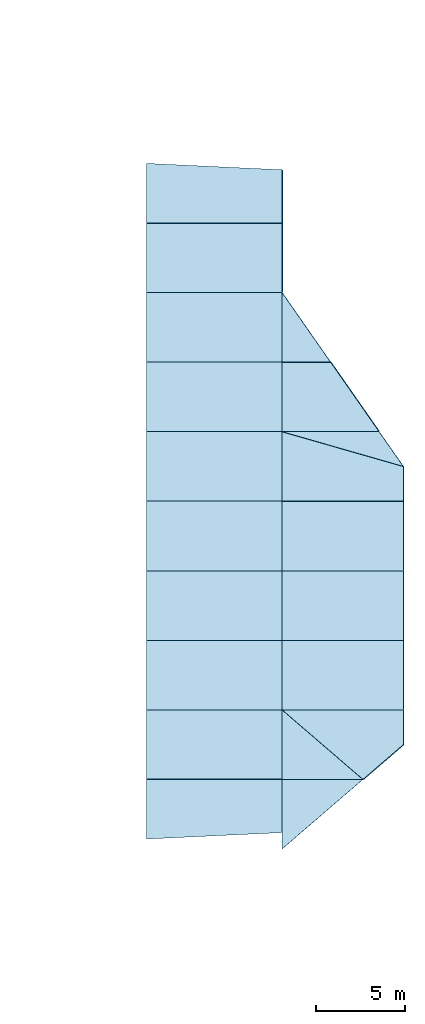
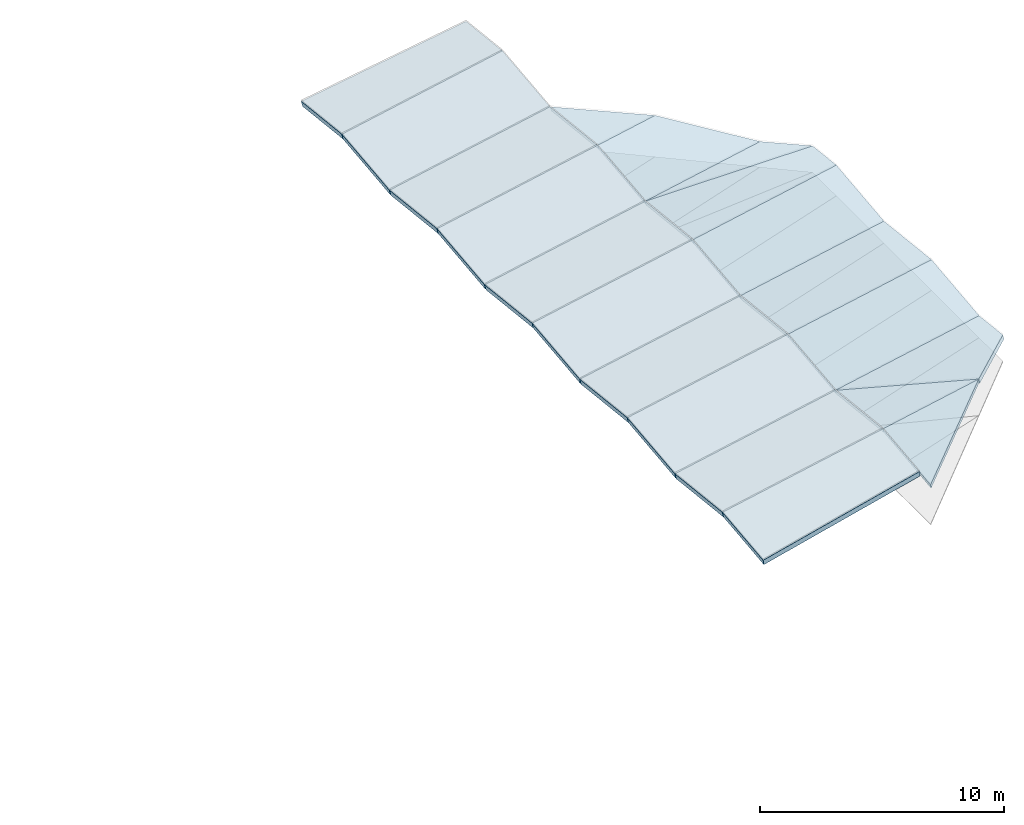
# One storey, part 5 of 12: 20 slabs.
"""IFC4 building model written with IfcOpenShell, lengths in metres."""

from ifc_helpers import new_model, si_unit, direction, frame, origin, place, context, subcontext, project, spatial, polyline, outline, extrude, material, layer, layer_set, type_object, element, save


model = new_model("IFC4")

# Units and contexts
model_context = context("Model", 3, precision=1e-05, world=origin(), true_north=direction((0.0, 1.0)))
body_context = subcontext(model_context, "Body", "Model", "MODEL_VIEW")
ifc_project = project(units=[si_unit("LENGTHUNIT", "METRE"), si_unit("AREAUNIT", "SQUARE_METRE"), si_unit("VOLUMEUNIT", "CUBIC_METRE"), si_unit("PLANEANGLEUNIT", "RADIAN"), si_unit("MASSUNIT", "GRAM", prefix="KILO")], contexts=[model_context])

# Site, building, storey
site_placement = place(None, origin())
site = spatial("IfcSite", under=ifc_project, at=site_placement, CompositionType="ELEMENT")
building_placement = place(site_placement, origin())
building = spatial("IfcBuilding", under=site, at=building_placement, Name="Vervanel Yard Central Library", CompositionType="ELEMENT")
storey_placement = place(building_placement, frame((0.0, 0.0, 20.260009765625)))
storey = spatial("IfcBuildingStorey", under=building, at=storey_placement, Name="L05", CompositionType="ELEMENT", Elevation=20.260009765625)

# Slabs
ifc_material = material(Name="Concrete C45/55", Category="concrete")
ifc_layer_1 = layer(ifc_material, 0.2099609375, Category="concrete")
ifc_layer_set_1 = layer_set([ifc_layer_1], Name="Concrete C45/55")
slab_type_1 = type_object("IfcSlabType", Name="Folded Shell Prow Ribbed Plate 210", PredefinedType="ROOF", material=ifc_layer_set_1)
slab_1_placement = place(storey_placement, frame((152.800048828125, 51.0, 3.482666015625), z_axis=(-0.194591622356, 0.109324357786, 0.974772940383), x_axis=(5.396998e-06, -0.993769374698, 0.111455954906)))
element("IfcSlab", 1, at=slab_1_placement, inside=storey, type_object=slab_type_1, Name="L05 V3 Folded Shell Prow Ribbed Plate 210 V3-FS-B6-S02-P1", PredefinedType="ROOF", context=body_context, shape_type="SweptSolid", body=[
    extrude(outline(polyline([(-0.15132945113645255, -6.932557796792593), (3.873904201926632, -2.3110437224580416), (1.9621827469007638, 6.938893903907228e-18), (0.0, 0.0), (-0.15132945113645255, -6.932557796792593)])), origin(), (0.0, 0.0, -1.0), 0.2099609375),
])
slab_2_placement = place(storey_placement, frame((146.0, 51.0, 2.125244140625), z_axis=(-0.194556377015, 0.109352699362, 0.974776796659), x_axis=(0.739668619887, -0.636334905971, 0.21901648385)))
element("IfcSlab", 2, at=slab_2_placement, inside=storey, type_object=slab_type_1, Name="L05 V3 Folded Shell Prow Ribbed Plate 210 V3-FS-B6-S02-P2", PredefinedType="ROOF", context=body_context, shape_type="SweptSolid", body=[
    extrude(outline(polyline([(2.577463702890317, -2.959277851278869), (6.12869466558627, -2.706168622523819e-16), (0.0, 0.0), (2.577463702890317, -2.959277851278869)])), origin(), (0.0, 0.0, -1.0), 0.2099609375),
])
slab_3_placement = place(storey_placement, frame((152.800048828125, 58.800048828125, 3.482666015625), z_axis=(-0.194583474203, 0.109345340004, 0.974772213487), x_axis=(0.0, -0.993767115326, 0.11147609832)))
element("IfcSlab", 3, at=slab_3_placement, inside=storey, type_object=slab_type_1, Name="L05 V3 Folded Shell Prow Ribbed Plate 210 V3-FS-B6-S04", PredefinedType="ROOF", context=body_context, shape_type="SweptSolid", body=[
    extrude(outline(polyline([(-0.15132009439940197, -6.932558001246269), (3.7732880197417633, -6.932558001246268), (3.9246081141411655, 0.0), (0.0, 0.0), (-0.15132009439940197, -6.932558001246269)])), origin(), (0.0, 0.0, -1.0), 0.2099609375),
])
slab_4_placement = place(storey_placement, frame((152.800048828125, 62.699951171875, 3.920166015625), z_axis=(-0.194582166577, 0.109347622208, 0.974772218504), x_axis=(-0.980652630182, 1.40327e-07, -0.195756018855)))
element("IfcSlab", 4, at=slab_4_placement, inside=storey, type_object=slab_type_1, Name="L05 V3 Folded Shell Prow Ribbed Plate 210 V3-FS-B6-S06-P1", PredefinedType="ROOF", context=body_context, shape_type="SweptSolid", body=[
    extrude(outline(polyline([(0.04282190275487973, -1.961715427823809), (7.019853076364559, -3.923673532300492), (6.934209270820539, 0.0), (0.0, 0.0), (0.04282190275487973, -1.961715427823809)])), origin(), (0.0, 0.0, -1.0), 0.2099609375),
])
slab_5_placement = place(storey_placement, frame((152.800048828125, 64.64990234375, 3.701416015625), z_axis=(-0.194587239796, 0.109326468792, 0.974773578494), x_axis=(-0.938243558542, 0.269080154584, -0.217473895593)))
element("IfcSlab", 5, at=slab_5_placement, inside=storey, type_object=slab_type_1, Name="L05 V3 Folded Shell Prow Ribbed Plate 210 V3-FS-B6-S06-P2", PredefinedType="ROOF", context=body_context, shape_type="SweptSolid", body=[
    extrude(outline(polyline([(1.9074840629401322, -1.5016618287742018), (7.247637104692963, 4.163336342344337e-17), (0.0, 0.0), (1.9074840629401322, -1.5016618287742018)])), origin(), (0.0, 0.0, -1.0), 0.2099609375),
])
slab_6_placement = place(storey_placement, frame((146.0, 74.39990234375, 2.125244140625), z_axis=(-0.194586689397, 0.109352029033, 0.974770821299), x_axis=(0.560267602627, -0.803313408524, 0.201959850296)))
element("IfcSlab", 6, at=slab_6_placement, inside=storey, type_object=slab_type_1, Name="L05 V3 Folded Shell Prow Ribbed Plate 210 V3-FS-B6-S08", PredefinedType="ROOF", context=body_context, shape_type="SweptSolid", body=[
    extrude(outline(polyline([(3.221201279173657, -2.2415411795987024), (4.854770631695345, 5.412337245047638e-16), (0.0, 0.0), (3.221201279173657, -2.2415411795987024)])), origin(), (0.0, 0.0, -1.0), 0.2099609375),
])
ifc_layer_2 = layer(ifc_material, 0.199951171875, Category="concrete")
ifc_layer_set_2 = layer_set([ifc_layer_2], Name="Concrete C45/55")
slab_type_2 = type_object("IfcSlabType", Name="Folded Shell Prow Upper Plate 200", PredefinedType="ROOF", material=ifc_layer_set_2)
slab_7_placement = place(storey_placement, frame((150.533203125, 47.10009765625, 3.467529296875), z_axis=(-0.194556522645, -0.109345935971, 0.974777526302), x_axis=(-0.739649870283, -0.636358610393, -0.219010932078)))
element("IfcSlab", 7, at=slab_7_placement, inside=storey, type_object=slab_type_2, Name="L05 V3 Folded Shell Prow Upper Plate 200 V3-FS-B6-S01", PredefinedType="ROOF", context=body_context, shape_type="SweptSolid", body=[
    extrude(outline(polyline([(3.551140943772959, -2.9593858736128684), (6.128850023681566, 6.938893903907228e-18), (0.0, 0.0), (3.551140943772959, -2.9593858736128684)])), origin(), (0.0, 0.0, -1.0), 0.199951171875),
])
for number, where, z_axis, x_axis, name in (
    (8, (152.800048828125, 54.89990234375, 3.920166015625), (-0.194583328555, -0.10935210336, 0.974771483856), (0.0, -0.993766342205, -0.111482990186), "L05 V3 Folded Shell Prow Upper Plate 200 V3-FS-B6-S03"),
    (9, (152.800048828125, 62.699951171875, 3.920166015625), (-0.194583328555, -0.10935210336, 0.974771483856), (0.0, -0.993766342205, -0.111482990186), "L05 V3 Folded Shell Prow Upper Plate 200 V3-FS-B6-S05"),
):
    element("IfcSlab", number, at=place(storey_placement, frame(where, z_axis=z_axis, x_axis=x_axis)), inside=storey, type_object=slab_type_2, Name=name, PredefinedType="ROOF", context=body_context, shape_type="SweptSolid", body=[
        extrude(outline(polyline([(0.1513294495688792, -6.932557797040417), (4.075694944879777, -6.932557797040417), (3.924365495310897, 1.3877787807814457e-17), (0.0, 0.0), (0.1513294495688792, -6.932557797040417)])), origin(), (0.0, 0.0, -1.0), 0.199951171875),
    ])
slab_8_placement = place(storey_placement, frame((148.719970703125, 70.5, 3.105712890625), z_axis=(-0.194586689397, -0.109352029033, 0.974770821299), x_axis=(0.571914807931, -0.820013207243, 0.022176393235)))
element("IfcSlab", 10, at=slab_8_placement, inside=storey, type_object=slab_type_2, Name="L05 V3 Folded Shell Prow Upper Plate 200 V3-FS-B6-S07", PredefinedType="ROOF", context=body_context, shape_type="SweptSolid", body=[
    extrude(outline(polyline([(-1.5676326107698044, -2.2881397874662115), (1.6206366460215391, -4.576279574932423), (4.755901867561148, -1.9081958235744878e-16), (0.0, 0.0), (-1.5676326107698044, -2.2881397874662115)])), origin(), (0.0, 0.0, -1.0), 0.199951171875),
])
ifc_layer_3 = layer(ifc_material, 0.260009765625, Category="concrete")
ifc_layer_set_3 = layer_set([ifc_layer_3], Name="Concrete C45/55")
slab_type_3 = type_object("IfcSlabType", Name="Folded Shell Roof Fulcrum Plate 260", PredefinedType="ROOF", material=ifc_layer_set_3)
slab_9_placement = place(storey_placement, frame((138.39990234375, 43.760009765625, 0.671142578125), z_axis=(-0.194573423729, -0.109312788596, 0.974777870608), x_axis=(0.978588944368, 0.046366823003, 0.200533776919)))
element("IfcSlab", 11, at=slab_9_placement, inside=storey, type_object=slab_type_3, Name="L05 V3 Folded Shell Roof Fulcrum Plate 260 V3-FS-B5-S01", PredefinedType="ROOF", context=body_context, shape_type="SweptSolid", body=[
    extrude(outline(polyline([(0.0, 0.0), (7.766374478776976, 1.1102230246251565e-16), (7.971570812315398, 2.991636133812094), (0.22997151349951914, 3.3531416977513797), (0.0, 0.0)])), origin(), (0.0, 0.0, -1.0), 0.260009765625),
])
slab_10_placement = place(storey_placement, frame((138.39990234375, 47.10009765625, 1.045654296875), z_axis=(-0.194578722861, 0.109352205216, 0.974772391804), x_axis=(0.980653304953, 0.0, 0.195752638515)))
element("IfcSlab", 12, at=slab_10_placement, inside=storey, type_object=slab_type_3, Name="L05 V3 Folded Shell Roof Fulcrum Plate 260 V3-FS-B5-S02", PredefinedType="ROOF", context=body_context, shape_type="SweptSolid", body=[
    extrude(outline(polyline([(0.0, 0.0), (7.750035224342283, 0.0), (7.6643934449919255, 3.9234308999160996), (-0.08564177935035812, 3.923430899916099), (0.0, 0.0)])), origin(), (0.0, 0.0, -1.0), 0.260009765625),
])
slab_11_placement = place(storey_placement, frame((138.39990234375, 51.0, 0.608154296875), z_axis=(-0.194578722861, -0.109352205216, 0.974772391804), x_axis=(0.980653304953, 0.0, 0.195752638515)))
element("IfcSlab", 13, at=slab_11_placement, inside=storey, type_object=slab_type_3, Name="L05 V3 Folded Shell Roof Fulcrum Plate 260 V3-FS-B5-S03", PredefinedType="ROOF", context=body_context, shape_type="SweptSolid", body=[
    extrude(outline(polyline([(0.0, 0.0), (7.750035224342283, 0.0), (7.835677003692641, 3.9234308999160996), (0.08564177935035812, 3.923430899916099), (0.0, 0.0)])), origin(), (0.0, 0.0, -1.0), 0.260009765625),
])
slab_12_placement = place(storey_placement, frame((138.39990234375, 54.89990234375, 1.045654296875), z_axis=(-0.194578868507, 0.109345441854, 0.974773121437), x_axis=(0.980653304953, 0.0, 0.195752638515)))
element("IfcSlab", 14, at=slab_12_placement, inside=storey, type_object=slab_type_3, Name="L05 V3 Folded Shell Roof Fulcrum Plate 260 V3-FS-B5-S04", PredefinedType="ROOF", context=body_context, shape_type="SweptSolid", body=[
    extrude(outline(polyline([(0.0, 0.0), (7.750035224342283, 0.0), (7.6643934449919255, 3.9236735765367103), (-0.08564177935035812, 3.92367357653671), (0.0, 0.0)])), origin(), (0.0, 0.0, -1.0), 0.260009765625),
])
slab_13_placement = place(storey_placement, frame((138.39990234375, 58.800048828125, 0.608154296875), z_axis=(-0.194578722861, -0.109352205216, 0.974772391804), x_axis=(0.980653304953, 0.0, 0.195752638515)))
element("IfcSlab", 15, at=slab_13_placement, inside=storey, type_object=slab_type_3, Name="L05 V3 Folded Shell Roof Fulcrum Plate 260 V3-FS-B5-S05", PredefinedType="ROOF", context=body_context, shape_type="SweptSolid", body=[
    extrude(outline(polyline([(0.0, 0.0), (7.750035224342283, 0.0), (7.835677003692641, 3.9234308999160996), (0.08564177935035812, 3.923430899916099), (0.0, 0.0)])), origin(), (0.0, 0.0, -1.0), 0.260009765625),
])
slab_14_placement = place(storey_placement, frame((138.39990234375, 62.699951171875, 1.045654296875), z_axis=(-0.194578868507, 0.109345441854, 0.974773121437), x_axis=(0.980653304953, 0.0, 0.195752638515)))
element("IfcSlab", 16, at=slab_14_placement, inside=storey, type_object=slab_type_3, Name="L05 V3 Folded Shell Roof Fulcrum Plate 260 V3-FS-B5-S06", PredefinedType="ROOF", context=body_context, shape_type="SweptSolid", body=[
    extrude(outline(polyline([(0.0, 0.0), (7.750035224342283, 0.0), (7.6643934449919255, 3.9236735765367103), (-0.08564177935035812, 3.92367357653671), (0.0, 0.0)])), origin(), (0.0, 0.0, -1.0), 0.260009765625),
])
slab_15_placement = place(storey_placement, frame((138.39990234375, 66.60009765625, 0.608154296875), z_axis=(-0.194578722861, -0.109352205216, 0.974772391804), x_axis=(0.980653304953, 0.0, 0.195752638515)))
element("IfcSlab", 17, at=slab_15_placement, inside=storey, type_object=slab_type_3, Name="L05 V3 Folded Shell Roof Fulcrum Plate 260 V3-FS-B5-S07", PredefinedType="ROOF", context=body_context, shape_type="SweptSolid", body=[
    extrude(outline(polyline([(0.0, 0.0), (7.750035224342283, 0.0), (7.835677003692641, 3.9234308999160996), (0.08564177935035812, 3.923430899916099), (0.0, 0.0)])), origin(), (0.0, 0.0, -1.0), 0.260009765625),
])
slab_16_placement = place(storey_placement, frame((138.39990234375, 70.5, 1.045654296875), z_axis=(-0.194578722861, 0.109352205216, 0.974772391804), x_axis=(0.980653304953, 0.0, 0.195752638515)))
element("IfcSlab", 18, at=slab_16_placement, inside=storey, type_object=slab_type_3, Name="L05 V3 Folded Shell Roof Fulcrum Plate 260 V3-FS-B5-S08", PredefinedType="ROOF", context=body_context, shape_type="SweptSolid", body=[
    extrude(outline(polyline([(0.0, 0.0), (7.750035224342283, 0.0), (7.6643934449919255, 3.9234308999160996), (-0.08564177935035812, 3.923430899916099), (0.0, 0.0)])), origin(), (0.0, 0.0, -1.0), 0.260009765625),
])
slab_17_placement = place(storey_placement, frame((138.39990234375, 74.39990234375, 0.608154296875), z_axis=(-0.194578868507, -0.109345441854, 0.974773121437), x_axis=(0.980653304953, 0.0, 0.195752638515)))
element("IfcSlab", 19, at=slab_17_placement, inside=storey, type_object=slab_type_3, Name="L05 V3 Folded Shell Roof Fulcrum Plate 260 V3-FS-B5-S09", PredefinedType="ROOF", context=body_context, shape_type="SweptSolid", body=[
    extrude(outline(polyline([(0.0, 0.0), (7.750035224342283, 0.0), (7.835677003692641, 3.92367357653671), (0.08564177935035812, 3.92367357653671), (0.0, 0.0)])), origin(), (0.0, 0.0, -1.0), 0.260009765625),
])
slab_18_placement = place(storey_placement, frame((138.39990234375, 78.300048828125, 1.045654296875), z_axis=(-0.194574926994, 0.109316925768, 0.974777106587), x_axis=(0.980654208834, -5.07817e-07, 0.195748110326)))
element("IfcSlab", 20, at=slab_18_placement, inside=storey, type_object=slab_type_3, Name="L05 V3 Folded Shell Roof Fulcrum Plate 260 V3-FS-B5-S10", PredefinedType="ROOF", context=body_context, shape_type="SweptSolid", body=[
    extrude(outline(polyline([(0.0, 0.0), (7.750035224258663, 0.0), (7.684609110624617, 2.9979512532973214), (-0.07331165726817107, 3.359976294783583), (0.0, 0.0)])), origin(), (0.0, 0.0, -1.0), 0.260009765625),
])

save(model, "model.ifc")
